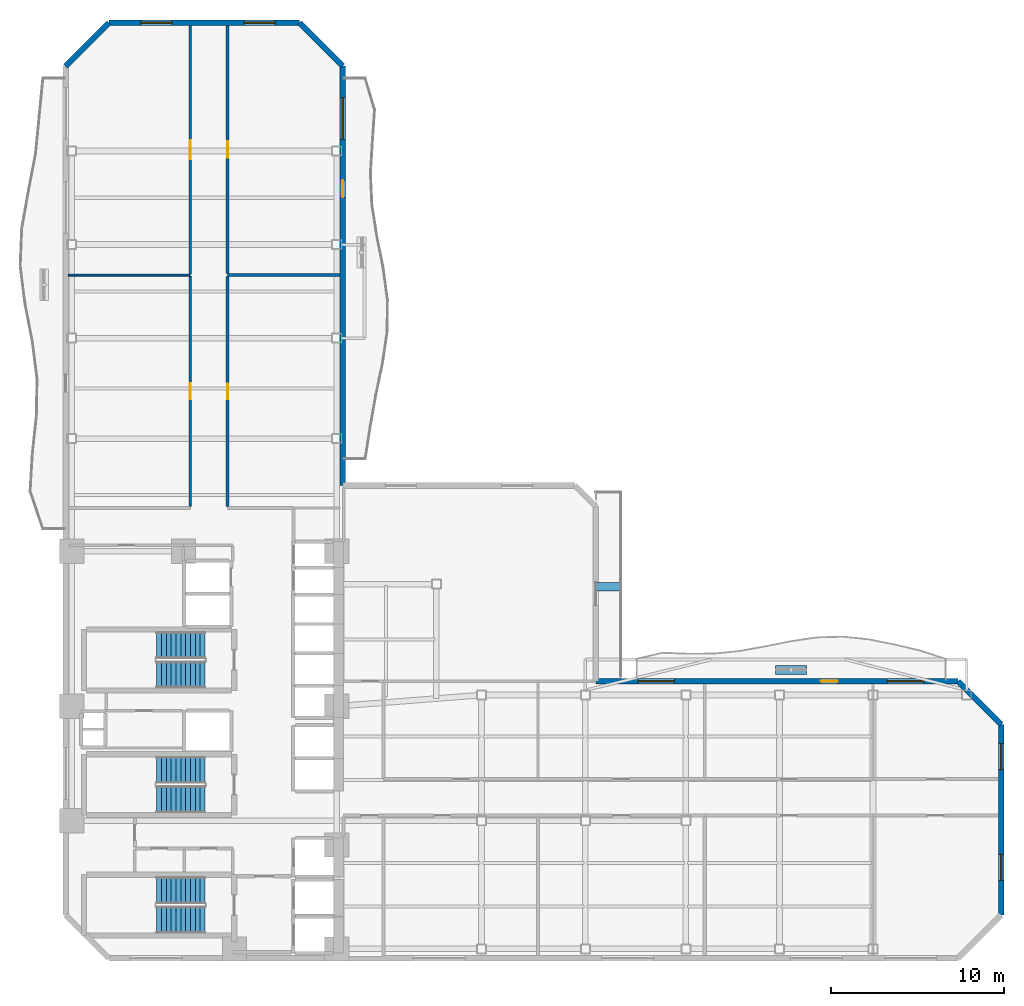
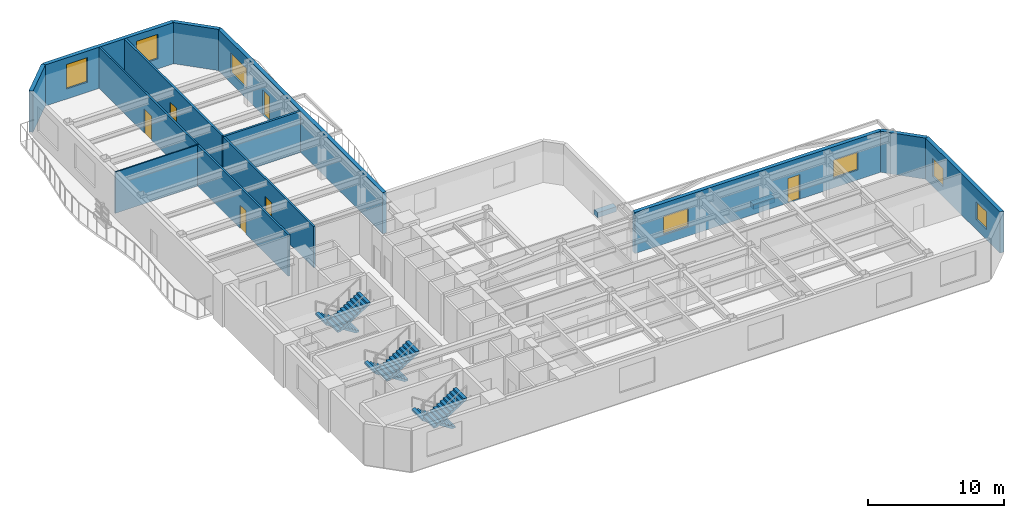
# One storey, part 6 of 10: 13 walls, 7 windows, 6 doors, 6 stair flights, 2 discrete accessories, 13 openings, 3 elements without a shape of their own.
"""IFC4 building model written with IfcOpenShell, lengths in metres."""

from ifc_helpers import new_model, si_unit, direction, frame, frame_2d, origin, origin_2d, place, context, subcontext, project, spatial, polyline, rectangle, outline, extrude, material, layer, layer_set, type_object, element, fill, aggregate, save


model = new_model("IFC4")

# Units and contexts
model_context = context("Model", 3, precision=1e-05, world=origin(), true_north=direction((0.0, 1.0)))
body_context = subcontext(model_context, "Body", "Model", "MODEL_VIEW")
ifc_project = project(units=[si_unit("LENGTHUNIT", "METRE"), si_unit("AREAUNIT", "SQUARE_METRE"), si_unit("VOLUMEUNIT", "CUBIC_METRE"), si_unit("PLANEANGLEUNIT", "RADIAN"), si_unit("MASSUNIT", "GRAM", prefix="KILO")], contexts=[model_context])

# Site, building, storey
site_placement = place(None, origin())
site = spatial("IfcSite", under=ifc_project, at=site_placement, CompositionType="ELEMENT")
building_placement = place(site_placement, origin())
building = spatial("IfcBuilding", under=site, at=building_placement, Name="Mawjaban Terraces University", CompositionType="ELEMENT")
storey_placement = place(building_placement, frame((0.0, 0.0, 50.5)))
storey = spatial("IfcBuildingStorey", under=building, at=storey_placement, Name="L11", CompositionType="ELEMENT", Elevation=50.5)

# Wall
ifc_material_1 = material(Name="Acoustic masonry blockwork", Category="masonry")
ifc_layer_1 = layer(ifc_material_1, 0.179931640625)
ifc_layer_set_1 = layer_set([ifc_layer_1], Name="Acoustic masonry blockwork")
wall_type_1 = type_object("IfcWallType", Name="AcousticStudioWall_180", PredefinedType="PARTITIONING", material=ifc_layer_set_1)
wall_1_placement = place(storey_placement, frame((37.844970703125, 39.43994140625, 0.0), z_axis=(0.0, 0.0, 1.0), x_axis=(-1.0, 0.0, 0.0)))
element("IfcWall", 1, at=wall_1_placement, inside=storey, type_object=wall_type_1, Name="L11 Faculty Office 11 Partition 13", PredefinedType="PARTITIONING", context=body_context, shape_type="SweptSolid", body=[
    extrude(rectangle(XDim=6.494873046875, YDim=0.179931640625, at=frame_2d((3.24755859375, 0.0))), origin(), (0.0, 0.0, 1.0), 3.68994140625),
])

# Wall, opening, door
wall_2_placement = place(storey_placement, frame((31.35009765625, 39.52490234375, 0.0), z_axis=(0.0, 0.0, 1.0), x_axis=(0.0, 1.0, 0.0)))
wall_2 = element("IfcWall", 2, at=wall_2_placement, inside=storey, type_object=wall_type_1, Name="L11 North Academic Spine Corridor Partition 34", PredefinedType="PARTITIONING", context=body_context, shape_type="SweptSolid", body=[
    extrude(rectangle(XDim=14.320068359375, YDim=0.179931640625, at=frame_2d((7.16015625, 0.0))), origin(), (0.0, 0.0, 1.0), 3.68994140625),
])
opening_1_placement = place(wall_2_placement, frame((6.68505859375, 0.0, 0.0)))
opening_1 = element("IfcOpeningElement", 3, at=opening_1_placement, cuts=wall_2, Name="Opening ID-095", PredefinedType="OPENING", context=body_context, shape_type="SweptSolid", body=[
    extrude(rectangle(XDim=0.949951171875, YDim=2.10009765625, at=frame_2d((0.47509765625, 1.050048828125))), frame((0.0, 0.099853515625, 0.0), z_axis=(0.0, -1.0, 0.0), x_axis=(1.0, 0.0, 0.0)), (0.0, 0.0, 1.0), 0.199951171875),
])
ifc_material_2 = material(Name="Powder-coated steel frame and solid acoustic timber leaf", Category="steel")
door_type_1 = type_object("IfcDoorType", Name="StudioDoor_950x2100", OperationType="NOTDEFINED", PredefinedType="DOOR", material=ifc_material_2)
door_1_placement = place(opening_1_placement, origin())
door_1 = element("IfcDoor", 4, at=door_1_placement, inside=storey, type_object=door_type_1, Name="L11 Design Studio 13 Door", OperationType="SINGLE_SWING_LEFT", OverallHeight=2.10009765625, OverallWidth=0.949951171875, PredefinedType="DOOR", context=body_context, shape_type="SweptSolid", body=[
    extrude(rectangle(XDim=0.949951171875, YDim=2.10009765625, at=frame_2d((0.47509765625, 1.050048828125))), frame((0.0, 0.02490234375, 0.0), z_axis=(0.0, -1.0, 0.0), x_axis=(1.0, 0.0, 0.0)), (0.0, 0.0, 1.0), 0.050048828125),
])
fill(opening_1, door_1)

ifc_material_3 = material(Name="Fire-rated gypsum board on steel stud", Category="steel")
ifc_layer_2 = layer(ifc_material_3, 0.159912109375)
ifc_layer_set_2 = layer_set([ifc_layer_2], Name="Fire-rated gypsum board on steel stud")
wall_type_2 = type_object("IfcWallType", Name="CorridorPartition_160", PredefinedType="PARTITIONING", material=ifc_layer_set_2)
wall_3_placement = place(storey_placement, frame((29.199951171875, 39.389892578125, 0.0), z_axis=(0.0, 0.0, 1.0), x_axis=(0.0, -1.0, 0.0)))
wall_3 = element("IfcWall", 5, at=wall_3_placement, inside=storey, type_object=wall_type_2, Name="L11 North Academic Spine Corridor Partition 31", PredefinedType="PARTITIONING", context=body_context, shape_type="SweptSolid", body=[
    extrude(rectangle(XDim=13.31494140625, YDim=0.159912109375, at=frame_2d((6.657470703125, 0.0))), origin(), (0.0, 0.0, 1.0), 3.68994140625),
])
opening_2_placement = place(wall_3_placement, frame((6.2080078125, 0.0, 0.0)))
opening_2 = element("IfcOpeningElement", 6, at=opening_2_placement, cuts=wall_3, Name="Opening ID-090", PredefinedType="OPENING", context=body_context, shape_type="SweptSolid", body=[
    extrude(rectangle(XDim=0.89990234375, YDim=2.10009765625, at=frame_2d((0.449951171875, 1.050048828125))), frame((0.0, 0.08984375, 0.0), z_axis=(0.0, -1.0, 0.0), x_axis=(1.0, 0.0, 0.0)), (0.0, 0.0, 1.0), 0.179931640625),
])
door_type_2 = type_object("IfcDoorType", Name="OfficeDoor_900x2100", OperationType="NOTDEFINED", PredefinedType="DOOR", material=ifc_material_2)
door_2_placement = place(opening_2_placement, origin())
door_2 = element("IfcDoor", 7, at=door_2_placement, inside=storey, type_object=door_type_2, Name="L11 Seminar Room 10 Door", OperationType="SINGLE_SWING_RIGHT", OverallHeight=2.10009765625, OverallWidth=0.89990234375, PredefinedType="DOOR", context=body_context, shape_type="SweptSolid", body=[
    extrude(rectangle(XDim=0.89990234375, YDim=2.10009765625, at=frame_2d((0.449951171875, 1.050048828125))), frame((0.0, 0.02490234375, 0.0), z_axis=(0.0, -1.0, 0.0), x_axis=(1.0, 0.0, 0.0)), (0.0, 0.0, 1.0), 0.050048828125),
])
fill(opening_2, door_2)

wall_4_placement = place(storey_placement, frame((31.35009765625, 26.074951171875, 0.0), z_axis=(0.0, 0.0, 1.0), x_axis=(0.0, 1.0, 0.0)))
wall_4 = element("IfcWall", 8, at=wall_4_placement, inside=storey, type_object=wall_type_2, Name="L11 North Academic Spine Corridor Partition 33", PredefinedType="PARTITIONING", context=body_context, shape_type="SweptSolid", body=[
    extrude(rectangle(XDim=13.280029296875, YDim=0.159912109375, at=frame_2d((6.64013671875, 0.0))), origin(), (0.0, 0.0, 1.0), 3.68994140625),
])
opening_3_placement = place(wall_4_placement, frame((6.18994140625, 0.0, 0.0)))
opening_3 = element("IfcOpeningElement", 9, at=opening_3_placement, cuts=wall_4, Name="Opening ID-090", PredefinedType="OPENING", context=body_context, shape_type="SweptSolid", body=[
    extrude(rectangle(XDim=0.89990234375, YDim=2.10009765625, at=frame_2d((0.449951171875, 1.050048828125))), frame((0.0, 0.08984375, 0.0), z_axis=(0.0, -1.0, 0.0), x_axis=(1.0, 0.0, 0.0)), (0.0, 0.0, 1.0), 0.179931640625),
])
door_3_placement = place(opening_3_placement, origin())
door_3 = element("IfcDoor", 10, at=door_3_placement, inside=storey, type_object=door_type_2, Name="L11 Faculty Office 11 Door", OperationType="SINGLE_SWING_LEFT", OverallHeight=2.10009765625, OverallWidth=0.89990234375, PredefinedType="DOOR", context=body_context, shape_type="SweptSolid", body=[
    extrude(rectangle(XDim=0.89990234375, YDim=2.10009765625, at=frame_2d((0.449951171875, 1.050048828125))), frame((0.0, 0.02490234375, 0.0), z_axis=(0.0, -1.0, 0.0), x_axis=(1.0, 0.0, 0.0)), (0.0, 0.0, 1.0), 0.050048828125),
])
fill(opening_3, door_3)

# Wall, openings, windows
ifc_material_4 = material(Name="Insulated terracotta rainscreen on concrete backup C40/50", Category="masonry")
ifc_layer_3 = layer(ifc_material_4, 0.320068359375)
ifc_layer_set_3 = layer_set([ifc_layer_3], Name="Insulated terracotta rainscreen on concrete backup C40/50")
wall_type_3 = type_object("IfcWallType", Name="ExtTerracottaWall_320", PredefinedType="SOLIDWALL", material=ifc_layer_set_3)
wall_5_placement = place(storey_placement, frame((76.0, 2.5, 0.0), z_axis=(0.0, 0.0, 1.0), x_axis=(0.0, 1.0, 0.0)))
wall_5 = element("IfcWall", 11, at=wall_5_placement, inside=storey, type_object=wall_type_3, Name="L11 Exterior Terracotta Wall 3", PredefinedType="SOLIDWALL", context=body_context, shape_type="SweptSolid", body=[
    extrude(rectangle(XDim=11.0, YDim=0.320068359375, at=frame_2d((5.5, 0.0))), origin(), (0.0, 0.0, 1.0), 3.68994140625),
])
opening_4_placement = place(wall_5_placement, frame((2.0, 0.0, 0.89990234375)))
opening_4 = element("IfcOpeningElement", 12, at=opening_4_placement, cuts=wall_5, Name="Opening W-02", PredefinedType="OPENING", context=body_context, shape_type="SweptSolid", body=[
    extrude(rectangle(XDim=1.5, YDim=1.60009765625, at=frame_2d((0.75, 0.800048828125))), frame((0.0, 0.169921875, 0.0), z_axis=(0.0, -1.0, 0.0), x_axis=(1.0, 0.0, 0.0)), (0.0, 0.0, 1.0), 0.340087890625),
])
opening_5_placement = place(wall_5_placement, frame((8.39990234375, 0.0, 0.89990234375)))
opening_5 = element("IfcOpeningElement", 13, at=opening_5_placement, cuts=wall_5, Name="Opening W-02", PredefinedType="OPENING", context=body_context, shape_type="SweptSolid", body=[
    extrude(rectangle(XDim=1.5, YDim=1.60009765625, at=frame_2d((0.75, 0.800048828125))), frame((0.0, 0.169921875, 0.0), z_axis=(0.0, -1.0, 0.0), x_axis=(1.0, 0.0, 0.0)), (0.0, 0.0, 1.0), 0.340087890625),
])
ifc_material_5 = material(Name="Low-E solar-control double glazing in thermally broken aluminium frame", Category="aluminium")
window_type_1 = type_object("IfcWindowType", Name="Win_1500x1600", PartitioningType="SINGLE_PANEL", PredefinedType="WINDOW", material=ifc_material_5)
window_1_placement = place(opening_4_placement, origin())
window_1 = element("IfcWindow", 14, at=window_1_placement, inside=storey, type_object=window_type_1, Name="L11 Facade Window 3.1", OverallHeight=1.60009765625, OverallWidth=1.5, PartitioningType="SINGLE_PANEL", PredefinedType="WINDOW", context=body_context, shape_type="SweptSolid", body=[
    extrude(rectangle(XDim=1.5, YDim=1.60009765625, at=frame_2d((0.75, 0.800048828125))), frame((0.0, 0.030029296875, 0.0), z_axis=(0.0, -1.0, 0.0), x_axis=(1.0, 0.0, 0.0)), (0.0, 0.0, 1.0), 0.06005859375),
])
fill(opening_4, window_1)
window_2_placement = place(opening_5_placement, origin())
window_2 = element("IfcWindow", 15, at=window_2_placement, inside=storey, type_object=window_type_1, Name="L11 Facade Window 3.2", OverallHeight=1.60009765625, OverallWidth=1.5, PartitioningType="SINGLE_PANEL", PredefinedType="WINDOW", context=body_context, shape_type="SweptSolid", body=[
    extrude(rectangle(XDim=1.5, YDim=1.60009765625, at=frame_2d((0.75, 0.800048828125))), frame((0.0, 0.030029296875, 0.0), z_axis=(0.0, -1.0, 0.0), x_axis=(1.0, 0.0, 0.0)), (0.0, 0.0, 1.0), 0.06005859375),
])
fill(opening_5, window_2)

# Wall
wall_6_placement = place(storey_placement, frame((76.0, 13.5, 0.0), z_axis=(0.0, 0.0, 1.0), x_axis=(-0.707106781187, 0.707106781187, 0.0)))
element("IfcWall", 16, at=wall_6_placement, inside=storey, type_object=wall_type_3, Name="L11 Exterior Terracotta Wall 4", PredefinedType="SOLIDWALL", context=body_context, shape_type="SweptSolid", body=[
    extrude(rectangle(XDim=3.53564453125, YDim=0.320068359375, at=frame_2d((1.767822265625, 0.0))), origin(), (0.0, 0.0, 1.0), 3.68994140625),
])

# Wall, openings, door, windows
wall_7_placement = place(storey_placement, frame((73.5, 16.0, 0.0), z_axis=(0.0, 0.0, 1.0), x_axis=(-1.0, 0.0, 0.0)))
wall_7 = element("IfcWall", 17, at=wall_7_placement, inside=storey, type_object=wall_type_3, Name="L11 Exterior Terracotta Wall 5", PredefinedType="SOLIDWALL", context=body_context, shape_type="SweptSolid", body=[
    extrude(rectangle(XDim=20.89990234375, YDim=0.320068359375, at=frame_2d((10.449951171875, 0.0))), origin(), (0.0, 0.0, 1.0), 3.68994140625),
])
opening_6_placement = place(wall_7_placement, frame((6.925048828125, 0.0, 0.0)))
opening_6 = element("IfcOpeningElement", 18, at=opening_6_placement, cuts=wall_7, Name="Opening BD-100", PredefinedType="OPENING", context=body_context, shape_type="SweptSolid", body=[
    extrude(rectangle(XDim=1.0, YDim=2.199951171875, at=frame_2d((0.5, 1.10009765625))), frame((0.0, 0.169921875, 0.0), z_axis=(0.0, -1.0, 0.0), x_axis=(1.0, 0.0, 0.0)), (0.0, 0.0, 1.0), 0.340087890625),
])
opening_7_placement = place(wall_7_placement, frame((1.98291015625, 0.0, 0.89990234375)))
opening_7 = element("IfcOpeningElement", 19, at=opening_7_placement, cuts=wall_7, Name="Opening W-04", PredefinedType="OPENING", context=body_context, shape_type="SweptSolid", body=[
    extrude(rectangle(XDim=2.10009765625, YDim=1.60009765625, at=frame_2d((1.050048828125, 0.800048828125))), frame((0.0, 0.169921875, 0.0), z_axis=(0.0, -1.0, 0.0), x_axis=(1.0, 0.0, 0.0)), (0.0, 0.0, 1.0), 0.340087890625),
])
opening_8_placement = place(wall_7_placement, frame((16.366943359375, 0.0, 0.89990234375)))
opening_8 = element("IfcOpeningElement", 20, at=opening_8_placement, cuts=wall_7, Name="Opening W-04", PredefinedType="OPENING", context=body_context, shape_type="SweptSolid", body=[
    extrude(rectangle(XDim=2.10009765625, YDim=1.60009765625, at=frame_2d((1.050048828125, 0.800048828125))), frame((0.0, 0.169921875, 0.0), z_axis=(0.0, -1.0, 0.0), x_axis=(1.0, 0.0, 0.0)), (0.0, 0.0, 1.0), 0.340087890625),
])
ifc_material_6 = material(Name="Thermally broken anodised aluminium and laminated safety glass", Category="aluminium")
door_type_3 = type_object("IfcDoorType", Name="BalconyGlazedDoor_1000x2200", OperationType="NOTDEFINED", PredefinedType="DOOR", material=ifc_material_6)
door_4_placement = place(opening_6_placement, origin())
door_4 = element("IfcDoor", 21, at=door_4_placement, inside=storey, type_object=door_type_3, Name="L11 Balcony Access Door inner_north", OperationType="SINGLE_SWING_RIGHT", OverallHeight=2.199951171875, OverallWidth=1.0, PredefinedType="DOOR", context=body_context, shape_type="SweptSolid", body=[
    extrude(rectangle(XDim=1.0, YDim=2.199951171875, at=frame_2d((0.5, 1.10009765625))), frame((0.0, 0.02490234375, 0.0), z_axis=(0.0, -1.0, 0.0), x_axis=(1.0, 0.0, 0.0)), (0.0, 0.0, 1.0), 0.050048828125),
])
fill(opening_6, door_4)
window_type_2 = type_object("IfcWindowType", Name="Win_2100x1600", PartitioningType="SINGLE_PANEL", PredefinedType="WINDOW", material=ifc_material_5)
window_3_placement = place(opening_7_placement, origin())
window_3 = element("IfcWindow", 22, at=window_3_placement, inside=storey, type_object=window_type_2, Name="L11 Facade Window 5.1", OverallHeight=1.60009765625, OverallWidth=2.10009765625, PartitioningType="SINGLE_PANEL", PredefinedType="WINDOW", context=body_context, shape_type="SweptSolid", body=[
    extrude(rectangle(XDim=2.10009765625, YDim=1.60009765625, at=frame_2d((1.050048828125, 0.800048828125))), frame((0.0, 0.030029296875, 0.0), z_axis=(0.0, -1.0, 0.0), x_axis=(1.0, 0.0, 0.0)), (0.0, 0.0, 1.0), 0.06005859375),
])
fill(opening_7, window_3)
window_4_placement = place(opening_8_placement, origin())
window_4 = element("IfcWindow", 23, at=window_4_placement, inside=storey, type_object=window_type_2, Name="L11 Facade Window 5.3", OverallHeight=1.60009765625, OverallWidth=2.10009765625, PartitioningType="SINGLE_PANEL", PredefinedType="WINDOW", context=body_context, shape_type="SweptSolid", body=[
    extrude(rectangle(XDim=2.10009765625, YDim=1.60009765625, at=frame_2d((1.050048828125, 0.800048828125))), frame((0.0, 0.030029296875, 0.0), z_axis=(0.0, -1.0, 0.0), x_axis=(1.0, 0.0, 0.0)), (0.0, 0.0, 1.0), 0.06005859375),
])
fill(opening_8, window_4)

# Wall, openings, door, window
wall_8_placement = place(storey_placement, frame((38.0, 27.294921875, 0.0), z_axis=(0.0, 0.0, 1.0), x_axis=(0.0, 1.0, 0.0)))
wall_8 = element("IfcWall", 24, at=wall_8_placement, inside=storey, type_object=wall_type_3, Name="L11 Exterior Terracotta Wall 9", PredefinedType="SOLIDWALL", context=body_context, shape_type="SweptSolid", body=[
    extrude(rectangle(XDim=24.205078125, YDim=0.320068359375, at=frame_2d((12.1025390625, 0.0))), origin(), (0.0, 0.0, 1.0), 3.68994140625),
])
opening_9_placement = place(wall_8_placement, frame((16.6279296875, 0.0, 0.0)))
opening_9 = element("IfcOpeningElement", 25, at=opening_9_placement, cuts=wall_8, Name="Opening BD-100", PredefinedType="OPENING", context=body_context, shape_type="SweptSolid", body=[
    extrude(rectangle(XDim=1.0, YDim=2.199951171875, at=frame_2d((0.5, 1.10009765625))), frame((0.0, 0.169921875, 0.0), z_axis=(0.0, -1.0, 0.0), x_axis=(1.0, 0.0, 0.0)), (0.0, 0.0, 1.0), 0.340087890625),
])
opening_10_placement = place(wall_8_placement, frame((19.97900390625, 0.0, 0.89990234375)))
opening_10 = element("IfcOpeningElement", 26, at=opening_10_placement, cuts=wall_8, Name="Opening W-08", PredefinedType="OPENING", context=body_context, shape_type="SweptSolid", body=[
    extrude(rectangle(XDim=2.39990234375, YDim=1.800048828125, at=frame_2d((1.199951171875, 0.89990234375))), frame((0.0, 0.169921875, 0.0), z_axis=(0.0, -1.0, 0.0), x_axis=(1.0, 0.0, 0.0)), (0.0, 0.0, 1.0), 0.340087890625),
])
door_5_placement = place(opening_9_placement, origin())
door_5 = element("IfcDoor", 27, at=door_5_placement, inside=storey, type_object=door_type_3, Name="L11 Balcony Access Door inner_east", OperationType="SINGLE_SWING_RIGHT", OverallHeight=2.199951171875, OverallWidth=1.0, PredefinedType="DOOR", context=body_context, shape_type="SweptSolid", body=[
    extrude(rectangle(XDim=1.0, YDim=2.199951171875, at=frame_2d((0.5, 1.10009765625))), frame((0.0, 0.02490234375, 0.0), z_axis=(0.0, -1.0, 0.0), x_axis=(1.0, 0.0, 0.0)), (0.0, 0.0, 1.0), 0.050048828125),
])
fill(opening_9, door_5)
window_type_3 = type_object("IfcWindowType", Name="Win_2400x1800", PartitioningType="SINGLE_PANEL", PredefinedType="WINDOW", material=ifc_material_5)
window_5_placement = place(opening_10_placement, origin())
window_5 = element("IfcWindow", 28, at=window_5_placement, inside=storey, type_object=window_type_3, Name="L11 Facade Window 9.4", OverallHeight=1.800048828125, OverallWidth=2.39990234375, PartitioningType="SINGLE_PANEL", PredefinedType="WINDOW", context=body_context, shape_type="SweptSolid", body=[
    extrude(rectangle(XDim=2.39990234375, YDim=1.800048828125, at=frame_2d((1.199951171875, 0.89990234375))), frame((0.0, 0.030029296875, 0.0), z_axis=(0.0, -1.0, 0.0), x_axis=(1.0, 0.0, 0.0)), (0.0, 0.0, 1.0), 0.06005859375),
])
fill(opening_10, window_5)

# Wall
wall_9_placement = place(storey_placement, frame((38.0, 51.5, 0.0), z_axis=(0.0, 0.0, 1.0), x_axis=(-0.707106781187, 0.707106781187, 0.0)))
element("IfcWall", 29, at=wall_9_placement, inside=storey, type_object=wall_type_3, Name="L11 Exterior Terracotta Wall 10", PredefinedType="SOLIDWALL", context=body_context, shape_type="SweptSolid", body=[
    extrude(rectangle(XDim=3.53564453125, YDim=0.320068359375, at=frame_2d((1.767822265625, 0.0))), origin(), (0.0, 0.0, 1.0), 3.68994140625),
])

# Wall, openings, windows
wall_10_placement = place(storey_placement, frame((35.5, 54.0, 0.0), z_axis=(0.0, 0.0, 1.0), x_axis=(-1.0, 0.0, 0.0)))
wall_10 = element("IfcWall", 30, at=wall_10_placement, inside=storey, type_object=wall_type_3, Name="L11 Exterior Terracotta Wall 11", PredefinedType="SOLIDWALL", context=body_context, shape_type="SweptSolid", body=[
    extrude(rectangle(XDim=11.0, YDim=0.320068359375, at=frame_2d((5.5, 0.0))), origin(), (0.0, 0.0, 1.0), 3.68994140625),
])
opening_11_placement = place(wall_10_placement, frame((1.39990234375, 0.0, 0.89990234375)))
opening_11 = element("IfcOpeningElement", 31, at=opening_11_placement, cuts=wall_10, Name="Opening W-10", PredefinedType="OPENING", context=body_context, shape_type="SweptSolid", body=[
    extrude(rectangle(XDim=1.800048828125, YDim=2.199951171875, at=frame_2d((0.89990234375, 1.10009765625))), frame((0.0, 0.169921875, 0.0), z_axis=(0.0, -1.0, 0.0), x_axis=(1.0, 0.0, 0.0)), (0.0, 0.0, 1.0), 0.340087890625),
])
opening_12_placement = place(wall_10_placement, frame((7.35009765625, 0.0, 0.89990234375)))
opening_12 = element("IfcOpeningElement", 32, at=opening_12_placement, cuts=wall_10, Name="Opening W-10", PredefinedType="OPENING", context=body_context, shape_type="SweptSolid", body=[
    extrude(rectangle(XDim=1.800048828125, YDim=2.199951171875, at=frame_2d((0.89990234375, 1.10009765625))), frame((0.0, 0.169921875, 0.0), z_axis=(0.0, -1.0, 0.0), x_axis=(1.0, 0.0, 0.0)), (0.0, 0.0, 1.0), 0.340087890625),
])
window_type_4 = type_object("IfcWindowType", Name="Win_1800x2200", PartitioningType="SINGLE_PANEL", PredefinedType="WINDOW", material=ifc_material_5)
window_6_placement = place(opening_11_placement, origin())
window_6 = element("IfcWindow", 33, at=window_6_placement, inside=storey, type_object=window_type_4, Name="L11 Facade Window 11.1", OverallHeight=2.199951171875, OverallWidth=1.800048828125, PartitioningType="SINGLE_PANEL", PredefinedType="WINDOW", context=body_context, shape_type="SweptSolid", body=[
    extrude(rectangle(XDim=1.800048828125, YDim=2.199951171875, at=frame_2d((0.89990234375, 1.10009765625))), frame((0.0, 0.030029296875, 0.0), z_axis=(0.0, -1.0, 0.0), x_axis=(1.0, 0.0, 0.0)), (0.0, 0.0, 1.0), 0.06005859375),
])
fill(opening_11, window_6)
window_7_placement = place(opening_12_placement, origin())
window_7 = element("IfcWindow", 34, at=window_7_placement, inside=storey, type_object=window_type_4, Name="L11 Facade Window 11.2", OverallHeight=2.199951171875, OverallWidth=1.800048828125, PartitioningType="SINGLE_PANEL", PredefinedType="WINDOW", context=body_context, shape_type="SweptSolid", body=[
    extrude(rectangle(XDim=1.800048828125, YDim=2.199951171875, at=frame_2d((0.89990234375, 1.10009765625))), frame((0.0, 0.030029296875, 0.0), z_axis=(0.0, -1.0, 0.0), x_axis=(1.0, 0.0, 0.0)), (0.0, 0.0, 1.0), 0.06005859375),
])
fill(opening_12, window_7)

# Wall
wall_11_placement = place(storey_placement, frame((24.5, 54.0, 0.0), z_axis=(0.0, 0.0, 1.0), x_axis=(-0.707106781187, -0.707106781187, 0.0)))
element("IfcWall", 35, at=wall_11_placement, inside=storey, type_object=wall_type_3, Name="L11 Exterior Terracotta Wall 12", PredefinedType="SOLIDWALL", context=body_context, shape_type="SweptSolid", body=[
    extrude(rectangle(XDim=3.53564453125, YDim=0.320068359375, at=frame_2d((1.767822265625, 0.0))), origin(), (0.0, 0.0, 1.0), 3.68994140625),
])

# Wall, opening, door
ifc_material_7 = material(Name="Moisture-resistant gypsum board on steel stud", Category="steel")
ifc_layer_4 = layer(ifc_material_7, 0.14501953125)
ifc_layer_set_4 = layer_set([ifc_layer_4], Name="Moisture-resistant gypsum board on steel stud")
wall_type_4 = type_object("IfcWallType", Name="LabPartition_145", PredefinedType="PARTITIONING", material=ifc_layer_set_4)
wall_12_placement = place(storey_placement, frame((29.199951171875, 53.844970703125, 0.0), z_axis=(0.0, 0.0, 1.0), x_axis=(0.0, -1.0, 0.0)))
wall_12 = element("IfcWall", 36, at=wall_12_placement, inside=storey, type_object=wall_type_4, Name="L11 North Academic Spine Corridor Partition 32", PredefinedType="PARTITIONING", context=body_context, shape_type="SweptSolid", body=[
    extrude(rectangle(XDim=14.35498046875, YDim=0.14501953125, at=frame_2d((7.177490234375, 0.0))), origin(), (0.0, 0.0, 1.0), 3.68994140625),
])
opening_13_placement = place(wall_12_placement, frame((6.626953125, 0.0, 0.0)))
opening_13 = element("IfcOpeningElement", 37, at=opening_13_placement, cuts=wall_12, Name="Opening ID-110", PredefinedType="OPENING", context=body_context, shape_type="SweptSolid", body=[
    extrude(rectangle(XDim=1.10009765625, YDim=2.14990234375, at=frame_2d((0.550048828125, 1.074951171875))), frame((0.0, 0.08251953125, 0.0), z_axis=(0.0, -1.0, 0.0), x_axis=(1.0, 0.0, 0.0)), (0.0, 0.0, 1.0), 0.1650390625),
])
door_type_4 = type_object("IfcDoorType", Name="LabDoor_1100x2150", OperationType="NOTDEFINED", PredefinedType="DOOR", material=ifc_material_2)
door_6_placement = place(opening_13_placement, origin())
door_6 = element("IfcDoor", 38, at=door_6_placement, inside=storey, type_object=door_type_4, Name="L11 Teaching Laboratory 12 Door", OperationType="SINGLE_SWING_RIGHT", OverallHeight=2.14990234375, OverallWidth=1.10009765625, PredefinedType="DOOR", context=body_context, shape_type="SweptSolid", body=[
    extrude(rectangle(XDim=1.10009765625, YDim=2.14990234375, at=frame_2d((0.550048828125, 1.074951171875))), frame((0.0, 0.02490234375, 0.0), z_axis=(0.0, -1.0, 0.0), x_axis=(1.0, 0.0, 0.0)), (0.0, 0.0, 1.0), 0.050048828125),
])
fill(opening_13, door_6)

# Wall
ifc_material_8 = material(Name="Acoustic operable panel partition", Category="masonry")
ifc_layer_5 = layer(ifc_material_8, 0.110107421875)
ifc_layer_set_5 = layer_set([ifc_layer_5], Name="Acoustic operable panel partition")
wall_type_5 = type_object("IfcWallType", Name="OperableSeminarWall_110", PredefinedType="MOVABLE", material=ifc_layer_set_5)
wall_13_placement = place(storey_placement, frame((29.199951171875, 39.43994140625, 0.0), z_axis=(0.0, 0.0, 1.0), x_axis=(-1.0, 0.0, 0.0)))
element("IfcWall", 39, at=wall_13_placement, inside=storey, type_object=wall_type_5, Name="L11 Seminar Room 10 Partition 8", PredefinedType="MOVABLE", context=body_context, shape_type="SweptSolid", body=[
    extrude(rectangle(XDim=7.044921875, YDim=0.110107421875, at=frame_2d((3.5224609375, 0.0))), origin(), (0.0, 0.0, 1.0), 3.68994140625),
])

# Stair, stair flights
ifc_material_9 = material(Name="Concrete C40/50", Category="concrete")
stair_type = type_object("IfcStairType", Name="Stair_Core1550_H39", PredefinedType="HALF_TURN_STAIR", material=ifc_material_9)
stair_1_placement = place(storey_placement, origin())
stair_1 = element("IfcStair", 40, at=stair_1_placement, inside=storey, type_object=stair_type, Name="L11 Core Exit Stair 1", PredefinedType="HALF_TURN_STAIR")
stair_flight_type = type_object("IfcStairFlightType", Name="Flight_Core1550_H39", PredefinedType="STRAIGHT", material=ifc_material_9)
stair_flight_1_placement = place(storey_placement, frame((30.050048828125, 3.925048828125, 0.0), z_axis=(0.0, 0.0, 1.0), x_axis=(-1.0, 0.0, 0.0)))
stair_flight_1 = element("IfcStairFlight", 41, at=stair_flight_1_placement, type_object=stair_flight_type, Name="ST-1 flight 1", NumberOfRisers=11, NumberOfTreads=10, PredefinedType="STRAIGHT", RiserHeight=0.177272727, TreadLength=0.28, context=body_context, shape_type="SweptSolid", body=[
    extrude(outline(polyline([(0.0, 0.0), (0.0, 0.17724609375), (0.280029296875, 0.17724609375), (0.280029296875, 0.3544921875), (0.56005859375, 0.3544921875), (0.56005859375, 0.53173828125), (0.840087890625, 0.53173828125), (0.840087890625, 0.708984375), (1.1201171875, 0.708984375), (1.1201171875, 0.886474609375), (1.39990234375, 0.886474609375), (1.39990234375, 1.063720703125), (1.679931640625, 1.063720703125), (1.679931640625, 1.240966796875), (1.9599609375, 1.240966796875), (1.9599609375, 1.418212890625), (2.239990234375, 1.418212890625), (2.239990234375, 1.595458984375), (2.52001953125, 1.595458984375), (2.52001953125, 1.772705078125), (2.800048828125, 1.772705078125), (2.800048828125, 1.949951171875), (2.800048828125, 1.59521484375), (0.2802734375, 0.0), (0.0, 0.0)])), frame((0.0, 0.77490234375, 0.0), z_axis=(0.0, -1.0, 0.0), x_axis=(1.0, 0.0, 0.0)), (0.0, 0.0, 1.0), 1.550048828125),
])
stair_flight_2_placement = place(storey_placement, frame((27.25, 2.22509765625, 1.949951171875), z_axis=(0.0, 0.0, 1.0), x_axis=(1.0, 0.0, 0.0)))
stair_flight_2 = element("IfcStairFlight", 42, at=stair_flight_2_placement, type_object=stair_flight_type, Name="ST-1 flight 2", NumberOfRisers=11, NumberOfTreads=10, PredefinedType="STRAIGHT", RiserHeight=0.177272727, TreadLength=0.28, context=body_context, shape_type="SweptSolid", body=[
    extrude(outline(polyline([(0.0, 0.0), (0.0, 0.17724609375), (0.280029296875, 0.17724609375), (0.280029296875, 0.3544921875), (0.56005859375, 0.3544921875), (0.56005859375, 0.53173828125), (0.840087890625, 0.53173828125), (0.840087890625, 0.708984375), (1.1201171875, 0.708984375), (1.1201171875, 0.886474609375), (1.39990234375, 0.886474609375), (1.39990234375, 1.063720703125), (1.679931640625, 1.063720703125), (1.679931640625, 1.240966796875), (1.9599609375, 1.240966796875), (1.9599609375, 1.418212890625), (2.239990234375, 1.418212890625), (2.239990234375, 1.595458984375), (2.52001953125, 1.595458984375), (2.52001953125, 1.772705078125), (2.800048828125, 1.772705078125), (2.800048828125, 1.949951171875), (2.800048828125, 1.59521484375), (0.2802734375, 0.0), (0.0, 0.0)])), frame((0.0, 0.77490234375, 0.0), z_axis=(0.0, -1.0, 0.0), x_axis=(1.0, 0.0, 0.0)), (0.0, 0.0, 1.0), 1.550048828125),
])
aggregate(stair_1, [stair_flight_1, stair_flight_2])

stair_2_placement = place(storey_placement, origin())
stair_2 = element("IfcStair", 43, at=stair_2_placement, inside=storey, type_object=stair_type, Name="L11 Core Exit Stair 2", PredefinedType="HALF_TURN_STAIR")
stair_flight_3_placement = place(storey_placement, frame((30.050048828125, 18.074951171875, 0.0), z_axis=(0.0, 0.0, 1.0), x_axis=(-1.0, 0.0, 0.0)))
stair_flight_3 = element("IfcStairFlight", 44, at=stair_flight_3_placement, type_object=stair_flight_type, Name="ST-2 flight 1", NumberOfRisers=11, NumberOfTreads=10, PredefinedType="STRAIGHT", RiserHeight=0.177272727, TreadLength=0.28, context=body_context, shape_type="SweptSolid", body=[
    extrude(outline(polyline([(0.0, 0.0), (0.0, 0.17724609375), (0.280029296875, 0.17724609375), (0.280029296875, 0.3544921875), (0.56005859375, 0.3544921875), (0.56005859375, 0.53173828125), (0.840087890625, 0.53173828125), (0.840087890625, 0.708984375), (1.1201171875, 0.708984375), (1.1201171875, 0.886474609375), (1.39990234375, 0.886474609375), (1.39990234375, 1.063720703125), (1.679931640625, 1.063720703125), (1.679931640625, 1.240966796875), (1.9599609375, 1.240966796875), (1.9599609375, 1.418212890625), (2.239990234375, 1.418212890625), (2.239990234375, 1.595458984375), (2.52001953125, 1.595458984375), (2.52001953125, 1.772705078125), (2.800048828125, 1.772705078125), (2.800048828125, 1.949951171875), (2.800048828125, 1.59521484375), (0.2802734375, 0.0), (0.0, 0.0)])), frame((0.0, 0.77490234375, 0.0), z_axis=(0.0, -1.0, 0.0), x_axis=(1.0, 0.0, 0.0)), (0.0, 0.0, 1.0), 1.550048828125),
])
stair_flight_4_placement = place(storey_placement, frame((27.25, 16.375, 1.949951171875), z_axis=(0.0, 0.0, 1.0), x_axis=(1.0, 0.0, 0.0)))
stair_flight_4 = element("IfcStairFlight", 45, at=stair_flight_4_placement, type_object=stair_flight_type, Name="ST-2 flight 2", NumberOfRisers=11, NumberOfTreads=10, PredefinedType="STRAIGHT", RiserHeight=0.177272727, TreadLength=0.28, context=body_context, shape_type="SweptSolid", body=[
    extrude(outline(polyline([(0.0, 0.0), (0.0, 0.17724609375), (0.280029296875, 0.17724609375), (0.280029296875, 0.3544921875), (0.56005859375, 0.3544921875), (0.56005859375, 0.53173828125), (0.840087890625, 0.53173828125), (0.840087890625, 0.708984375), (1.1201171875, 0.708984375), (1.1201171875, 0.886474609375), (1.39990234375, 0.886474609375), (1.39990234375, 1.063720703125), (1.679931640625, 1.063720703125), (1.679931640625, 1.240966796875), (1.9599609375, 1.240966796875), (1.9599609375, 1.418212890625), (2.239990234375, 1.418212890625), (2.239990234375, 1.595458984375), (2.52001953125, 1.595458984375), (2.52001953125, 1.772705078125), (2.800048828125, 1.772705078125), (2.800048828125, 1.949951171875), (2.800048828125, 1.59521484375), (0.2802734375, 0.0), (0.0, 0.0)])), frame((0.0, 0.77490234375, 0.0), z_axis=(0.0, -1.0, 0.0), x_axis=(1.0, 0.0, 0.0)), (0.0, 0.0, 1.0), 1.550048828125),
])
aggregate(stair_2, [stair_flight_3, stair_flight_4])

stair_3_placement = place(storey_placement, origin())
stair_3 = element("IfcStair", 46, at=stair_3_placement, inside=storey, type_object=stair_type, Name="L11 Core Exit Stair 3", PredefinedType="HALF_TURN_STAIR")
stair_flight_5_placement = place(storey_placement, frame((30.050048828125, 10.875, 0.0), z_axis=(0.0, 0.0, 1.0), x_axis=(-1.0, 0.0, 0.0)))
stair_flight_5 = element("IfcStairFlight", 47, at=stair_flight_5_placement, type_object=stair_flight_type, Name="ST-3 flight 1", NumberOfRisers=11, NumberOfTreads=10, PredefinedType="STRAIGHT", RiserHeight=0.177272727, TreadLength=0.28, context=body_context, shape_type="SweptSolid", body=[
    extrude(outline(polyline([(0.0, 0.0), (0.0, 0.17724609375), (0.280029296875, 0.17724609375), (0.280029296875, 0.3544921875), (0.56005859375, 0.3544921875), (0.56005859375, 0.53173828125), (0.840087890625, 0.53173828125), (0.840087890625, 0.708984375), (1.1201171875, 0.708984375), (1.1201171875, 0.886474609375), (1.39990234375, 0.886474609375), (1.39990234375, 1.063720703125), (1.679931640625, 1.063720703125), (1.679931640625, 1.240966796875), (1.9599609375, 1.240966796875), (1.9599609375, 1.418212890625), (2.239990234375, 1.418212890625), (2.239990234375, 1.595458984375), (2.52001953125, 1.595458984375), (2.52001953125, 1.772705078125), (2.800048828125, 1.772705078125), (2.800048828125, 1.949951171875), (2.800048828125, 1.59521484375), (0.2802734375, 0.0), (0.0, 0.0)])), frame((0.0, 0.77490234375, 0.0), z_axis=(0.0, -1.0, 0.0), x_axis=(1.0, 0.0, 0.0)), (0.0, 0.0, 1.0), 1.550048828125),
])
stair_flight_6_placement = place(storey_placement, frame((27.25, 9.175048828125, 1.949951171875), z_axis=(0.0, 0.0, 1.0), x_axis=(1.0, 0.0, 0.0)))
stair_flight_6 = element("IfcStairFlight", 48, at=stair_flight_6_placement, type_object=stair_flight_type, Name="ST-3 flight 2", NumberOfRisers=11, NumberOfTreads=10, PredefinedType="STRAIGHT", RiserHeight=0.177272727, TreadLength=0.28, context=body_context, shape_type="SweptSolid", body=[
    extrude(outline(polyline([(0.0, 0.0), (0.0, 0.17724609375), (0.280029296875, 0.17724609375), (0.280029296875, 0.3544921875), (0.56005859375, 0.3544921875), (0.56005859375, 0.53173828125), (0.840087890625, 0.53173828125), (0.840087890625, 0.708984375), (1.1201171875, 0.708984375), (1.1201171875, 0.886474609375), (1.39990234375, 0.886474609375), (1.39990234375, 1.063720703125), (1.679931640625, 1.063720703125), (1.679931640625, 1.240966796875), (1.9599609375, 1.240966796875), (1.9599609375, 1.418212890625), (2.239990234375, 1.418212890625), (2.239990234375, 1.595458984375), (2.52001953125, 1.595458984375), (2.52001953125, 1.772705078125), (2.800048828125, 1.772705078125), (2.800048828125, 1.949951171875), (2.800048828125, 1.59521484375), (0.2802734375, 0.0), (0.0, 0.0)])), frame((0.0, 0.77490234375, 0.0), z_axis=(0.0, -1.0, 0.0), x_axis=(1.0, 0.0, 0.0)), (0.0, 0.0, 1.0), 1.550048828125),
])
aggregate(stair_3, [stair_flight_5, stair_flight_6])

# Discrete accessories
ifc_material_10 = material(Name="Precast architectural terracotta planter with engineered planting soil", Category="masonry")
discrete_accessory_type = type_object("IfcDiscreteAccessoryType", Name="IrrigatedPlanterTrough_450", PredefinedType="USERDEFINED", material=ifc_material_10)
discrete_accessory_1_placement = place(storey_placement, frame((63.875, 16.64501953125, -0.0048828125), z_axis=(0.0, 0.0, 1.0), x_axis=(1.0, 0.0, 0.0)))
element("IfcDiscreteAccessory", 49, at=discrete_accessory_1_placement, inside=storey, type_object=discrete_accessory_type, Name="L11 Balcony Irrigated Planter inner_north", ObjectType="PLANTER", PredefinedType="USERDEFINED", context=body_context, shape_type="SweptSolid", body=[
    extrude(rectangle(XDim=1.800048828125, YDim=0.5, at=origin_2d()), origin(), (0.0, 0.0, 1.0), 0.449951171875),
])
discrete_accessory_2_placement = place(storey_placement, frame((53.324951171875, 21.447998046875, -0.0048828125), z_axis=(0.0, 0.0, 1.0), x_axis=(1.0, 0.0, 0.0)))
element("IfcDiscreteAccessory", 50, at=discrete_accessory_2_placement, inside=storey, type_object=discrete_accessory_type, Name="L11 Terrace Planter TER-L11-CLIMB", ObjectType="PLANTER", PredefinedType="USERDEFINED", context=body_context, shape_type="SweptSolid", body=[
    extrude(rectangle(XDim=1.60009765625, YDim=0.5, at=origin_2d()), origin(), (0.0, 0.0, 1.0), 0.449951171875),
])

save(model, "model.ifc")
